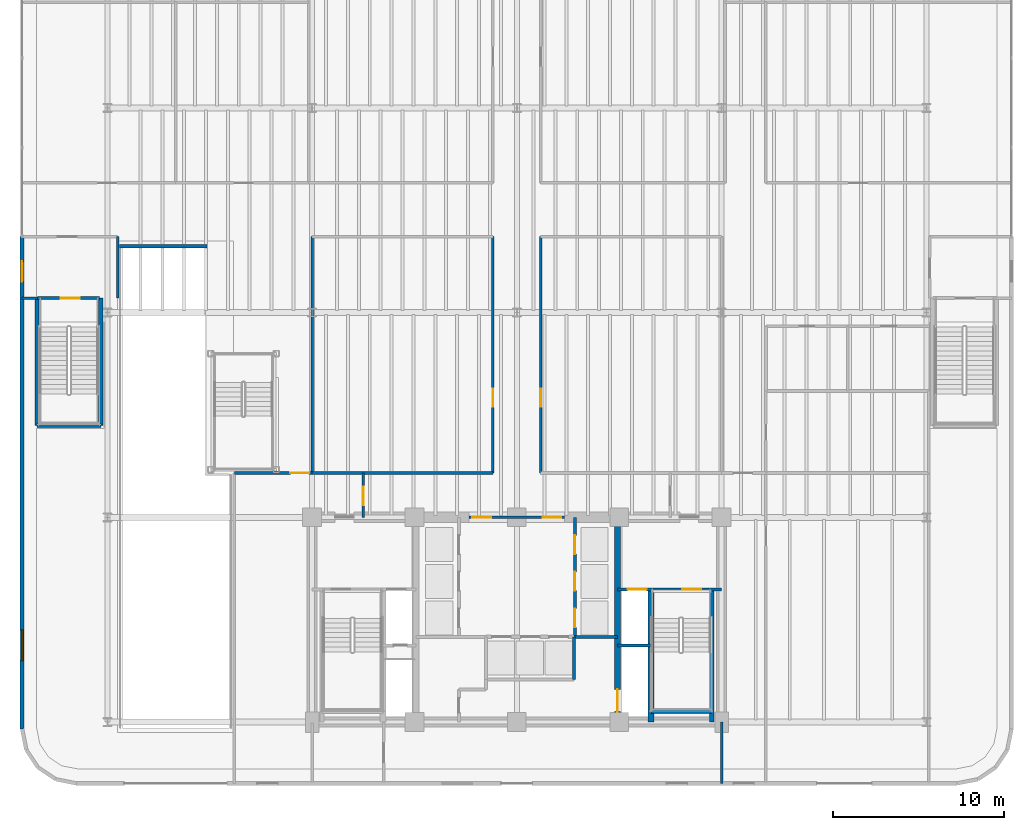
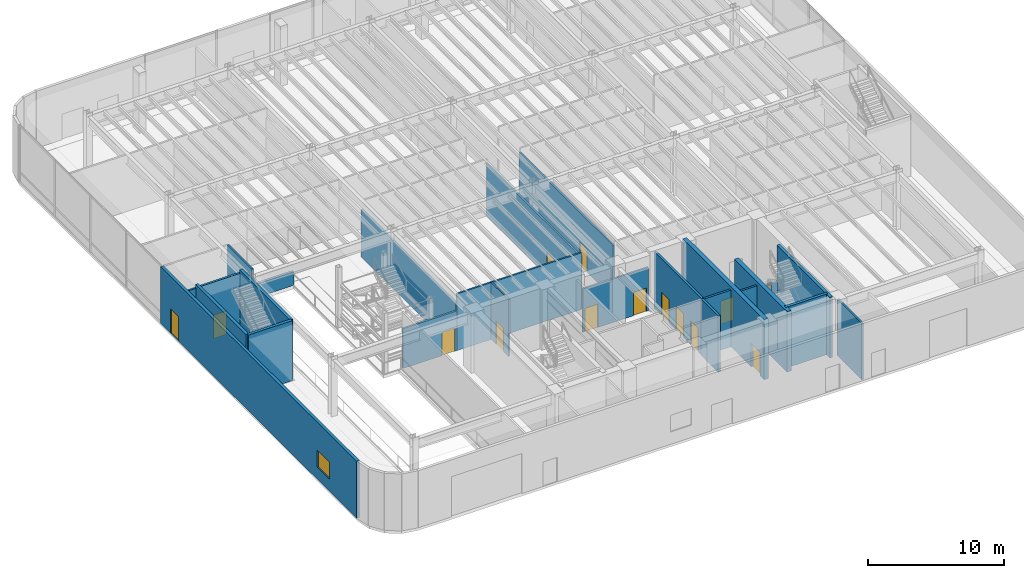
# One storey, part 8 of 17: 25 walls, 14 doors, 1 window, 15 openings.
"""IFC4 building model written with IfcOpenShell, lengths in metres."""

from ifc_helpers import new_model, si_unit, direction, frame, frame_2d, origin, origin_2d, place, context, subcontext, project, spatial, rectangle, extrude, source, transform, mapped, material, layer, layer_set, type_object, element, fill, save


model = new_model("IFC4")

# Units and contexts
model_context = context("Model", 3, precision=1e-05, world=origin(), true_north=direction((0.0, 1.0)))
body_context = subcontext(model_context, "Body", "Model", "MODEL_VIEW")
ifc_project = project(units=[si_unit("LENGTHUNIT", "METRE"), si_unit("AREAUNIT", "SQUARE_METRE"), si_unit("VOLUMEUNIT", "CUBIC_METRE"), si_unit("PLANEANGLEUNIT", "RADIAN"), si_unit("MASSUNIT", "GRAM", prefix="KILO")], contexts=[model_context])

# Site, building, storey
site_placement = place(None, origin())
site = spatial("IfcSite", under=ifc_project, at=site_placement, CompositionType="ELEMENT")
building_placement = place(site_placement, origin())
building = spatial("IfcBuilding", under=site, at=building_placement, Name="Brelvock Crest Care Tower", CompositionType="ELEMENT")
storey_placement = place(building_placement, origin())
storey = spatial("IfcBuildingStorey", under=building, at=storey_placement, Name="L00", CompositionType="ELEMENT", Elevation=0.0)

# Wall, opening, door
ifc_material_1 = material(Name="Concrete S80 (80 MPa)", Category="concrete")
ifc_layer_1 = layer(ifc_material_1, 0.35009765625, Name="WL-CS5")
ifc_layer_set_1 = layer_set([ifc_layer_1], Name="Concrete S80 (80 MPa)")
wall_type_1 = type_object("IfcWallType", Name="WL-CS5", PredefinedType="SHEAR", material=ifc_layer_set_1)
wall_1_placement = place(storey_placement, frame((41.89990234375, 18.0, 0.0), z_axis=(0.0, 0.0, 1.0), x_axis=(0.0, -1.0, 0.0)))
wall_1 = element("IfcWall", 1, at=wall_1_placement, inside=storey, type_object=wall_type_1, Name="L00 Core Internal Web Wall East", PredefinedType="SHEAR", context=body_context, shape_type="SweptSolid", body=[
    extrude(rectangle(XDim=12.0, YDim=0.35009765625, at=frame_2d((6.0, 0.0))), origin(), (0.0, 0.0, 1.0), 5.39990234375),
])
opening_1_placement = place(wall_1_placement, frame((10.080078125, 0.0, 0.0)))
opening_1 = element("IfcOpeningElement", 2, at=opening_1_placement, cuts=wall_1, Name="Opening LD-S", PredefinedType="OPENING", context=body_context, shape_type="SweptSolid", body=[
    extrude(rectangle(XDim=1.300048828125, YDim=2.10009765625, at=origin_2d()), frame((0.64990234375, 0.18505859375, 1.050048828125), z_axis=(0.0, -1.0, 0.0), x_axis=(1.0, 0.0, 0.0)), (0.0, 0.0, 1.0), 0.3701171875),
])
ifc_material_2 = material(Name="Steel Grade 350", Category="steel")
door_type_1 = type_object("IfcDoorType", Name="DR-LDS1", OperationType="NOTDEFINED", PredefinedType="DOOR", material=ifc_material_2)
shared_shape_1 = source(origin(), body_context, "Body", "SweptSolid", [
    extrude(rectangle(XDim=1.300048828125, YDim=2.10009765625, at=origin_2d()), frame((0.64990234375, 0.02490234375, 1.050048828125), z_axis=(0.0, -1.0, 0.0), x_axis=(1.0, 0.0, 0.0)), (0.0, 0.0, 1.0), 0.050048828125),
])
door_1_placement = place(opening_1_placement, origin())
door_1 = element("IfcDoor", 3, at=door_1_placement, inside=storey, type_object=door_type_1, Name="L00 Clinical Bed Lift SL-1 Landing Door", OperationType="SLIDING_TO_LEFT", OverallHeight=2.10009765625, OverallWidth=1.300048828125, PredefinedType="DOOR", context=body_context, shape_type="MappedRepresentation", body=[
    mapped(shared_shape_1, transform((0.0, 0.0, 0.0), x_axis=(1.0, 0.0, 0.0), y_axis=(0.0, 1.0, 0.0), z_axis=(0.0, 0.0, 1.0), scale=1.0)),
])
fill(opening_1, door_1)

# Walls
wall_2_placement = place(storey_placement, frame((43.85009765625, 6.0, 0.0), z_axis=(0.0, 0.0, 1.0), x_axis=(0.0, 1.0, 0.0)))
element("IfcWall", 4, at=wall_2_placement, inside=storey, type_object=wall_type_1, Name="L00 Core Stair ST-2 West Shear Wall", PredefinedType="SHEAR", context=body_context, shape_type="SweptSolid", body=[
    extrude(rectangle(XDim=7.780029296875, YDim=0.35009765625, at=frame_2d((3.89013671875, 0.0))), origin(), (0.0, 0.0, 1.0), 5.43994140625),
])
ifc_layer_2 = layer(ifc_material_1, 0.25, Name="WL-CS6")
ifc_layer_set_2 = layer_set([ifc_layer_2], Name="Concrete S80 (80 MPa)")
wall_type_2 = type_object("IfcWallType", Name="WL-CS6", PredefinedType="SHEAR", material=ifc_layer_set_2)
wall_3_placement = place(storey_placement, frame((7.8798828125, 23.3798828125, 0.0), z_axis=(0.0, 0.0, 1.0), x_axis=(1.0, 0.0, 0.0)))
element("IfcWall", 5, at=wall_3_placement, inside=storey, type_object=wall_type_2, Name="L00 Podium Stair ST-3 South Shear Wall", PredefinedType="SHEAR", context=body_context, shape_type="SweptSolid", body=[
    extrude(rectangle(XDim=3.740234375, YDim=0.25, at=frame_2d((1.8701171875, 0.0))), origin(), (0.0, 0.0, 1.0), 5.39990234375),
])
for number, where, z_axis, x_axis, name in (
    (6, (7.8798828125, 23.3798828125, 0.0), (0.0, 0.0, 1.0), (0.0, 1.0, 0.0), "L00 Podium Stair ST-3 West Shear Wall"),
    (7, (11.6201171875, 23.3798828125, 0.0), (0.0, 0.0, 1.0), (0.0, 1.0, 0.0), "L00 Podium Stair ST-3 East Shear Wall"),
):
    element("IfcWall", number, at=place(storey_placement, frame(where, z_axis=z_axis, x_axis=x_axis)), inside=storey, type_object=wall_type_2, Name=name, PredefinedType="SHEAR", context=body_context, shape_type="SweptSolid", body=[
        extrude(rectangle(XDim=7.47021484375, YDim=0.25, at=frame_2d((3.735107421875, 0.0))), origin(), (0.0, 0.0, 1.0), 5.39990234375),
    ])
wall_4_placement = place(storey_placement, frame((47.419921875, 6.0, 0.0), z_axis=(0.0, 0.0, 1.0), x_axis=(0.0, 1.0, 0.0)))
element("IfcWall", 8, at=wall_4_placement, inside=storey, type_object=wall_type_2, Name="L00 Core Stair ST-2 East Shear Wall", PredefinedType="SHEAR", context=body_context, shape_type="SweptSolid", body=[
    extrude(rectangle(XDim=7.780029296875, YDim=0.25, at=frame_2d((3.89013671875, 0.0))), origin(), (0.0, 0.0, 1.0), 5.43994140625),
])
wall_5_placement = place(storey_placement, frame((43.85009765625, 6.6201171875, 0.0), z_axis=(0.0, 0.0, 1.0), x_axis=(1.0, 0.0, 0.0)))
element("IfcWall", 9, at=wall_5_placement, inside=storey, type_object=wall_type_2, Name="L00 Core Stair ST-2 South Shear Wall", PredefinedType="SHEAR", context=body_context, shape_type="SweptSolid", body=[
    extrude(rectangle(XDim=3.56982421875, YDim=0.25, at=frame_2d((1.784912109375, 0.0))), origin(), (0.0, 0.0, 1.0), 5.43994140625),
])

# Wall, openings, door, window
ifc_material_3 = material(Name="Precast concrete N40 (40 MPa)", Category="concrete")
ifc_layer_3 = layer(ifc_material_3, 0.239990234375, Name="WL-EX1")
ifc_layer_set_3 = layer_set([ifc_layer_3], Name="Precast concrete N40 (40 MPa)")
wall_type_3 = type_object("IfcWallType", Name="WL-EX1", PredefinedType="SOLIDWALL", material=ifc_layer_set_3)
wall_6_placement = place(storey_placement, frame((7.0, 5.60009765625, 0.0), z_axis=(0.0, 0.0, 1.0), x_axis=(0.0, 1.0, 0.0)))
wall_6 = element("IfcWall", 10, at=wall_6_placement, inside=storey, type_object=wall_type_3, Name="L00 Exterior Spandrel Wall WL-EX-L00-WS", PredefinedType="SOLIDWALL", context=body_context, shape_type="SweptSolid", body=[
    extrude(rectangle(XDim=28.849853515625, YDim=0.239990234375, at=frame_2d((14.4248046875, 0.0))), origin(), (0.0, 0.0, 1.0), 5.1201171875),
])
opening_2_placement = place(wall_6_placement, frame((26.199951171875, 0.0, 0.0)))
opening_2 = element("IfcOpeningElement", 11, at=opening_2_placement, cuts=wall_6, Name="Opening ED-2", PredefinedType="OPENING", context=body_context, shape_type="SweptSolid", body=[
    extrude(rectangle(XDim=1.199951171875, YDim=2.199951171875, at=origin_2d()), frame((0.60009765625, 0.1298828125, 1.10009765625), z_axis=(0.0, -1.0, 0.0), x_axis=(1.0, 0.0, 0.0)), (0.0, 0.0, 1.0), 0.260009765625),
])
opening_3_placement = place(wall_6_placement, frame((4.0, 0.0, 1.10009765625)))
opening_3 = element("IfcOpeningElement", 12, at=opening_3_placement, cuts=wall_6, Name="Opening W-02", PredefinedType="OPENING", context=body_context, shape_type="SweptSolid", body=[
    extrude(rectangle(XDim=1.800048828125, YDim=1.5, at=origin_2d()), frame((0.89990234375, 0.1298828125, 0.75), z_axis=(0.0, -1.0, 0.0), x_axis=(1.0, 0.0, 0.0)), (0.0, 0.0, 1.0), 0.260009765625),
])
ifc_material_4 = material(Name="Aluminium 6063-T6", Category="aluminium")
door_type_2 = type_object("IfcDoorType", Name="DR-EX2", OperationType="NOTDEFINED", PredefinedType="DOOR", material=ifc_material_4)
shared_shape_2 = source(origin(), body_context, "Body", "SweptSolid", [
    extrude(rectangle(XDim=1.199951171875, YDim=2.199951171875, at=origin_2d()), frame((0.60009765625, 0.02490234375, 1.10009765625), z_axis=(0.0, -1.0, 0.0), x_axis=(1.0, 0.0, 0.0)), (0.0, 0.0, 1.0), 0.050048828125),
])
door_2_placement = place(opening_2_placement, origin())
door_2 = element("IfcDoor", 13, at=door_2_placement, inside=storey, type_object=door_type_2, Name="L00 Podium Stair ST-3 Final Exit E5", OperationType="SINGLE_SWING_LEFT", OverallHeight=2.199951171875, OverallWidth=1.199951171875, PredefinedType="DOOR", context=body_context, shape_type="MappedRepresentation", body=[
    mapped(shared_shape_2, transform((0.0, 0.0, 0.0), x_axis=(1.0, 0.0, 0.0), y_axis=(0.0, 1.0, 0.0), z_axis=(0.0, 0.0, 1.0), scale=1.0)),
])
fill(opening_2, door_2)
ifc_material_5 = material(Name="Dark Glass Double Glazed Low-E", Category="glass")
window_type = type_object("IfcWindowType", Name="WN-EX2", PartitioningType="SINGLE_PANEL", PredefinedType="WINDOW", material=ifc_material_5)
shared_shape_3 = source(origin(), body_context, "Body", "SweptSolid", [
    extrude(rectangle(XDim=1.800048828125, YDim=1.5, at=origin_2d()), frame((0.89990234375, 0.030029296875, 0.75), z_axis=(0.0, -1.0, 0.0), x_axis=(1.0, 0.0, 0.0)), (0.0, 0.0, 1.0), 0.06005859375),
])
window_placement = place(opening_3_placement, origin())
window = element("IfcWindow", 14, at=window_placement, inside=storey, type_object=window_type, Name="WN-L00-W1", OverallHeight=1.5, OverallWidth=1.800048828125, PartitioningType="SINGLE_PANEL", PredefinedType="WINDOW", context=body_context, shape_type="MappedRepresentation", body=[
    mapped(shared_shape_3, transform((0.0, 0.0, 0.0), x_axis=(1.0, 0.0, 0.0), y_axis=(0.0, 1.0, 0.0), z_axis=(0.0, 0.0, 1.0), scale=1.0)),
])
fill(opening_3, window)

# Wall, openings, doors
ifc_material_6 = material(Name="Masonry Blockwork Acoustic Partition", Category="masonry")
ifc_layer_4 = layer(ifc_material_6, 0.14990234375, Name="WL-INT1")
ifc_layer_set_4 = layer_set([ifc_layer_4], Name="Masonry Blockwork Acoustic Partition")
wall_type_4 = type_object("IfcWallType", Name="WL-INT1", PredefinedType="PARTITIONING", material=ifc_layer_set_4)
wall_7_placement = place(storey_placement, frame((33.199951171875, 18.0, 0.0), z_axis=(0.0, 0.0, 1.0), x_axis=(1.0, 0.0, 0.0)))
wall_7 = element("IfcWall", 15, at=wall_7_placement, inside=storey, type_object=wall_type_4, Name="L00 Interior Wall WL-CORE-NPORT-L00", PredefinedType="PARTITIONING", context=body_context, shape_type="SweptSolid", body=[
    extrude(rectangle(XDim=5.60009765625, YDim=0.14990234375, at=frame_2d((2.800048828125, 0.0))), origin(), (0.0, 0.0, 1.0), 3.905029296875),
])
opening_4_placement = place(wall_7_placement, frame((0.18994140625, 0.0, 0.0)))
opening_4 = element("IfcOpeningElement", 16, at=opening_4_placement, cuts=wall_7, Name="Opening FD-1", PredefinedType="OPENING", context=body_context, shape_type="SweptSolid", body=[
    extrude(rectangle(XDim=1.10009765625, YDim=2.10009765625, at=origin_2d()), frame((0.550048828125, 0.0849609375, 1.050048828125), z_axis=(0.0, -1.0, 0.0), x_axis=(1.0, 0.0, 0.0)), (0.0, 0.0, 1.0), 0.169921875),
])
opening_5_placement = place(wall_7_placement, frame((4.31005859375, 0.0, 0.0)))
opening_5 = element("IfcOpeningElement", 17, at=opening_5_placement, cuts=wall_7, Name="Opening FD-1", PredefinedType="OPENING", context=body_context, shape_type="SweptSolid", body=[
    extrude(rectangle(XDim=1.10009765625, YDim=2.10009765625, at=origin_2d()), frame((0.550048828125, 0.0849609375, 1.050048828125), z_axis=(0.0, -1.0, 0.0), x_axis=(1.0, 0.0, 0.0)), (0.0, 0.0, 1.0), 0.169921875),
])
door_type_3 = type_object("IfcDoorType", Name="DR-FFL1", OperationType="NOTDEFINED", PredefinedType="DOOR", material=ifc_material_2)
shared_shape_4 = source(origin(), body_context, "Body", "SweptSolid", [
    extrude(rectangle(XDim=1.10009765625, YDim=2.10009765625, at=origin_2d()), frame((0.550048828125, 0.02490234375, 1.050048828125), z_axis=(0.0, -1.0, 0.0), x_axis=(1.0, 0.0, 0.0)), (0.0, 0.0, 1.0), 0.050048828125),
])
door_3_placement = place(opening_4_placement, origin())
door_3 = element("IfcDoor", 18, at=door_3_placement, inside=storey, type_object=door_type_3, Name="L00 Lift Lobby North Smoke Door West", OperationType="SINGLE_SWING_LEFT", OverallHeight=2.10009765625, OverallWidth=1.10009765625, PredefinedType="DOOR", context=body_context, shape_type="MappedRepresentation", body=[
    mapped(shared_shape_4, transform((0.0, 0.0, 0.0), x_axis=(1.0, 0.0, 0.0), y_axis=(0.0, 1.0, 0.0), z_axis=(0.0, 0.0, 1.0), scale=1.0)),
])
fill(opening_4, door_3)
door_4_placement = place(opening_5_placement, origin())
door_4 = element("IfcDoor", 19, at=door_4_placement, inside=storey, type_object=door_type_3, Name="L00 Lift Lobby North Smoke Door East", OperationType="SINGLE_SWING_RIGHT", OverallHeight=2.10009765625, OverallWidth=1.10009765625, PredefinedType="DOOR", context=body_context, shape_type="MappedRepresentation", body=[
    mapped(shared_shape_4, transform((0.0, 0.0, 0.0), x_axis=(1.0, 0.0, 0.0), y_axis=(0.0, 1.0, 0.0), z_axis=(0.0, 0.0, 1.0), scale=1.0)),
])
fill(opening_5, door_4)

# Wall, opening, door
wall_8_placement = place(storey_placement, frame((19.449951171875, 20.60009765625, 0.0), z_axis=(0.0, 0.0, 1.0), x_axis=(1.0, 0.0, 0.0)))
wall_8 = element("IfcWall", 20, at=wall_8_placement, inside=storey, type_object=wall_type_4, Name="L00 Interior Wall WL-L00-EX1N", PredefinedType="PARTITIONING", context=body_context, shape_type="SweptSolid", body=[
    extrude(rectangle(XDim=4.550048828125, YDim=0.14990234375, at=frame_2d((2.27490234375, 0.0))), origin(), (0.0, 0.0, 1.0), 3.5791015625),
])
opening_6_placement = place(wall_8_placement, frame((3.280029296875, 0.0, 0.0)))
opening_6 = element("IfcOpeningElement", 21, at=opening_6_placement, cuts=wall_8, Name="Opening SD-1", PredefinedType="OPENING", context=body_context, shape_type="SweptSolid", body=[
    extrude(rectangle(XDim=1.10009765625, YDim=2.10009765625, at=origin_2d()), frame((0.550048828125, 0.0849609375, 1.050048828125), z_axis=(0.0, -1.0, 0.0), x_axis=(1.0, 0.0, 0.0)), (0.0, 0.0, 1.0), 0.169921875),
])
door_type_4 = type_object("IfcDoorType", Name="DR-ST1", OperationType="NOTDEFINED", PredefinedType="DOOR", material=ifc_material_2)
shared_shape_5 = source(origin(), body_context, "Body", "SweptSolid", [
    extrude(rectangle(XDim=1.10009765625, YDim=2.10009765625, at=origin_2d()), frame((0.550048828125, 0.02490234375, 1.050048828125), z_axis=(0.0, -1.0, 0.0), x_axis=(1.0, 0.0, 0.0)), (0.0, 0.0, 1.0), 0.050048828125),
])
door_5_placement = place(opening_6_placement, origin())
door_5 = element("IfcDoor", 22, at=door_5_placement, inside=storey, type_object=door_type_4, Name="L00 Protected Exit ST-1 Hall Door", OperationType="SINGLE_SWING_LEFT", OverallHeight=2.10009765625, OverallWidth=1.10009765625, PredefinedType="DOOR", context=body_context, shape_type="MappedRepresentation", body=[
    mapped(shared_shape_5, transform((0.0, 0.0, 0.0), x_axis=(1.0, 0.0, 0.0), y_axis=(0.0, 1.0, 0.0), z_axis=(0.0, 0.0, 1.0), scale=1.0)),
])
fill(opening_6, door_5)

# Walls
wall_9_placement = place(storey_placement, frame((24.0, 20.60009765625, 0.0), z_axis=(0.0, 0.0, 1.0), x_axis=(1.0, 0.0, 0.0)))
element("IfcWall", 23, at=wall_9_placement, inside=storey, type_object=wall_type_4, Name="L00 Interior Wall WL-BX-L00-REC-S", PredefinedType="PARTITIONING", context=body_context, shape_type="SweptSolid", body=[
    extrude(rectangle(XDim=10.60009765625, YDim=0.14990234375, at=frame_2d((5.300048828125, 0.0))), origin(), (0.0, 0.0, 1.0), 5.090087890625),
])
wall_10_placement = place(storey_placement, frame((7.0, 30.85009765625, 0.0), z_axis=(0.0, 0.0, 1.0), x_axis=(1.0, 0.0, 0.0)))
element("IfcWall", 24, at=wall_10_placement, inside=storey, type_object=wall_type_4, Name="L00 Interior Wall WL-L00-EX3SW", PredefinedType="PARTITIONING", context=body_context, shape_type="SweptSolid", body=[
    extrude(rectangle(XDim=0.919921875, YDim=0.14990234375, at=frame_2d((0.4599609375, 0.0))), origin(), (0.0, 0.0, 1.0), 5.090087890625),
])
wall_11_placement = place(storey_placement, frame((12.60009765625, 30.85009765625, 0.0), z_axis=(0.0, 0.0, 1.0), x_axis=(0.0, 1.0, 0.0)))
element("IfcWall", 25, at=wall_11_placement, inside=storey, type_object=wall_type_4, Name="L00 Interior Wall WL-L00-EX3E", PredefinedType="PARTITIONING", context=body_context, shape_type="SweptSolid", body=[
    extrude(rectangle(XDim=3.599853515625, YDim=0.14990234375, at=frame_2d((1.7998046875, 0.0))), origin(), (0.0, 0.0, 1.0), 5.090087890625),
])
wall_12_placement = place(storey_placement, frame((24.0, 20.60009765625, 0.0), z_axis=(0.0, 0.0, 1.0), x_axis=(0.0, 1.0, 0.0)))
element("IfcWall", 26, at=wall_12_placement, inside=storey, type_object=wall_type_4, Name="L00 Interior Wall WL-BX-L00-REC-W", PredefinedType="PARTITIONING", context=body_context, shape_type="SweptSolid", body=[
    extrude(rectangle(XDim=13.849853515625, YDim=0.14990234375, at=frame_2d((6.9248046875, 0.0))), origin(), (0.0, 0.0, 1.0), 4.304931640625),
])

# Wall, opening, door
wall_13_placement = place(storey_placement, frame((27.0, 18.0, 0.0), z_axis=(0.0, 0.0, 1.0), x_axis=(0.0, 1.0, 0.0)))
wall_13 = element("IfcWall", 27, at=wall_13_placement, inside=storey, type_object=wall_type_4, Name="L00 Interior Wall WL-L00-EX1E", PredefinedType="PARTITIONING", context=body_context, shape_type="SweptSolid", body=[
    extrude(rectangle(XDim=2.60009765625, YDim=0.14990234375, at=frame_2d((1.300048828125, 0.0))), origin(), (0.0, 0.0, 1.0), 5.090087890625),
])
opening_7_placement = place(wall_13_placement, frame((0.699951171875, 0.0, 0.0)))
opening_7 = element("IfcOpeningElement", 28, at=opening_7_placement, cuts=wall_13, Name="Opening SD-1", PredefinedType="OPENING", context=body_context, shape_type="SweptSolid", body=[
    extrude(rectangle(XDim=1.10009765625, YDim=2.10009765625, at=origin_2d()), frame((0.550048828125, 0.0849609375, 1.050048828125), z_axis=(0.0, -1.0, 0.0), x_axis=(1.0, 0.0, 0.0)), (0.0, 0.0, 1.0), 0.169921875),
])
door_6_placement = place(opening_7_placement, origin())
door_6 = element("IfcDoor", 29, at=door_6_placement, inside=storey, type_object=door_type_4, Name="L00 Protected Exit ST-1 Core Lobby Door", OperationType="SINGLE_SWING_LEFT", OverallHeight=2.10009765625, OverallWidth=1.10009765625, PredefinedType="DOOR", context=body_context, shape_type="MappedRepresentation", body=[
    mapped(shared_shape_5, transform((0.0, 0.0, 0.0), x_axis=(1.0, 0.0, 0.0), y_axis=(0.0, 1.0, 0.0), z_axis=(0.0, 0.0, 1.0), scale=1.0)),
])
fill(opening_7, door_6)

wall_14_placement = place(storey_placement, frame((34.60009765625, 20.60009765625, 0.0), z_axis=(0.0, 0.0, 1.0), x_axis=(0.0, 1.0, 0.0)))
wall_14 = element("IfcWall", 30, at=wall_14_placement, inside=storey, type_object=wall_type_4, Name="L00 Interior Wall WL-RM-L00-REC", PredefinedType="PARTITIONING", context=body_context, shape_type="SweptSolid", body=[
    extrude(rectangle(XDim=13.849853515625, YDim=0.14990234375, at=frame_2d((6.9248046875, 0.0))), origin(), (0.0, 0.0, 1.0), 4.74609375),
])
opening_8_placement = place(wall_14_placement, frame((3.875, 0.0, 0.0)))
opening_8 = element("IfcOpeningElement", 31, at=opening_8_placement, cuts=wall_14, Name="Opening CLD-1", PredefinedType="OPENING", context=body_context, shape_type="SweptSolid", body=[
    extrude(rectangle(XDim=1.050048828125, YDim=2.10009765625, at=origin_2d()), frame((0.52490234375, 0.0849609375, 1.050048828125), z_axis=(0.0, -1.0, 0.0), x_axis=(1.0, 0.0, 0.0)), (0.0, 0.0, 1.0), 0.169921875),
])
ifc_material_7 = material(Name="Engineered Hardwood Timber", Category="wood")
door_type_5 = type_object("IfcDoorType", Name="DR-CLN1", OperationType="NOTDEFINED", PredefinedType="DOOR", material=ifc_material_7)
shared_shape_6 = source(origin(), body_context, "Body", "SweptSolid", [
    extrude(rectangle(XDim=1.050048828125, YDim=2.10009765625, at=origin_2d()), frame((0.52490234375, 0.02490234375, 1.050048828125), z_axis=(0.0, -1.0, 0.0), x_axis=(1.0, 0.0, 0.0)), (0.0, 0.0, 1.0), 0.050048828125),
])
door_7_placement = place(opening_8_placement, origin())
door_7 = element("IfcDoor", 32, at=door_7_placement, inside=storey, type_object=door_type_5, Name="L00 Senior Residence Concierge Door REC", OperationType="SINGLE_SWING_LEFT", OverallHeight=2.10009765625, OverallWidth=1.050048828125, PredefinedType="DOOR", context=body_context, shape_type="MappedRepresentation", body=[
    mapped(shared_shape_6, transform((0.0, 0.0, 0.0), x_axis=(1.0, 0.0, 0.0), y_axis=(0.0, 1.0, 0.0), z_axis=(0.0, 0.0, 1.0), scale=1.0)),
])
fill(opening_8, door_7)

wall_15_placement = place(storey_placement, frame((37.39990234375, 20.60009765625, 0.0), z_axis=(0.0, 0.0, 1.0), x_axis=(0.0, 1.0, 0.0)))
wall_15 = element("IfcWall", 33, at=wall_15_placement, inside=storey, type_object=wall_type_4, Name="L00 Interior Wall WL-RM-L00-ADM", PredefinedType="PARTITIONING", context=body_context, shape_type="SweptSolid", body=[
    extrude(rectangle(XDim=13.849853515625, YDim=0.14990234375, at=frame_2d((6.9248046875, 0.0))), origin(), (0.0, 0.0, 1.0), 4.74609375),
])
opening_9_placement = place(wall_15_placement, frame((3.875, 0.0, 0.0)))
opening_9 = element("IfcOpeningElement", 34, at=opening_9_placement, cuts=wall_15, Name="Opening CLD-1", PredefinedType="OPENING", context=body_context, shape_type="SweptSolid", body=[
    extrude(rectangle(XDim=1.050048828125, YDim=2.10009765625, at=origin_2d()), frame((0.52490234375, 0.0849609375, 1.050048828125), z_axis=(0.0, -1.0, 0.0), x_axis=(1.0, 0.0, 0.0)), (0.0, 0.0, 1.0), 0.169921875),
])
door_8_placement = place(opening_9_placement, origin())
door_8 = element("IfcDoor", 35, at=door_8_placement, inside=storey, type_object=door_type_5, Name="L00 Admissions and Family Lounge Door ADM", OperationType="SINGLE_SWING_LEFT", OverallHeight=2.10009765625, OverallWidth=1.050048828125, PredefinedType="DOOR", context=body_context, shape_type="MappedRepresentation", body=[
    mapped(shared_shape_6, transform((0.0, 0.0, 0.0), x_axis=(1.0, 0.0, 0.0), y_axis=(0.0, 1.0, 0.0), z_axis=(0.0, 0.0, 1.0), scale=1.0)),
])
fill(opening_9, door_8)

# Walls
wall_16_placement = place(storey_placement, frame((48.0, 2.39990234375, 0.0), z_axis=(0.0, 0.0, 1.0), x_axis=(0.0, 1.0, 0.0)))
element("IfcWall", 36, at=wall_16_placement, inside=storey, type_object=wall_type_4, Name="L00 Interior Wall WL-L00-VESE", PredefinedType="PARTITIONING", context=body_context, shape_type="SweptSolid", body=[
    extrude(rectangle(XDim=3.60009765625, YDim=0.14990234375, at=frame_2d((1.800048828125, 0.0))), origin(), (0.0, 0.0, 1.0), 5.090087890625),
])
ifc_layer_5 = layer(ifc_material_3, 0.199951171875, Name="WL-PR1")
ifc_layer_set_5 = layer_set([ifc_layer_5], Name="Precast concrete N40 (40 MPa)")
wall_type_5 = type_object("IfcWallType", Name="WL-PR1", PredefinedType="PARAPET", material=ifc_layer_set_5)
wall_17_placement = place(storey_placement, frame((12.719970703125, 33.89990234375, 0.0), z_axis=(0.0, 0.0, 1.0), x_axis=(1.0, 0.0, 0.0)))
element("IfcWall", 37, at=wall_17_placement, inside=storey, type_object=wall_type_5, Name="L00 Ramp Opening North Safety Parapet", PredefinedType="PARAPET", context=body_context, shape_type="SweptSolid", body=[
    extrude(rectangle(XDim=5.1201171875, YDim=0.199951171875, at=frame_2d((2.56005859375, 0.0))), origin(), (0.0, 0.0, 1.0), 1.219970703125),
])

# Wall, opening, door
ifc_layer_6 = layer(ifc_material_6, 0.179931640625, Name="WL-SHF1")
ifc_layer_set_6 = layer_set([ifc_layer_6], Name="Masonry Blockwork Acoustic Partition")
wall_type_6 = type_object("IfcWallType", Name="WL-SHF1", PredefinedType="PARTITIONING", material=ifc_layer_set_6)
wall_18_placement = place(storey_placement, frame((7.919921875, 30.85009765625, 0.0), z_axis=(0.0, 0.0, 1.0), x_axis=(1.0, 0.0, 0.0)))
wall_18 = element("IfcWall", 38, at=wall_18_placement, inside=storey, type_object=wall_type_6, Name="L00 Interior Wall WL-ST3-N-L00", PredefinedType="PARTITIONING", context=body_context, shape_type="SweptSolid", body=[
    extrude(rectangle(XDim=3.630126953125, YDim=0.179931640625, at=frame_2d((1.81494140625, 0.0))), origin(), (0.0, 0.0, 1.0), 5.1201171875),
])
opening_10_placement = place(wall_18_placement, frame((1.35009765625, 0.0, 0.0)))
opening_10 = element("IfcOpeningElement", 39, at=opening_10_placement, cuts=wall_18, Name="Opening SD-1", PredefinedType="OPENING", context=body_context, shape_type="SweptSolid", body=[
    extrude(rectangle(XDim=1.10009765625, YDim=2.10009765625, at=origin_2d()), frame((0.550048828125, 0.10009765625, 1.050048828125), z_axis=(0.0, -1.0, 0.0), x_axis=(1.0, 0.0, 0.0)), (0.0, 0.0, 1.0), 0.199951171875),
])
door_9_placement = place(opening_10_placement, origin())
door_9 = element("IfcDoor", 40, at=door_9_placement, inside=storey, type_object=door_type_4, Name="L00 Podium Stair ST-3 Door", OperationType="SINGLE_SWING_LEFT", OverallHeight=2.10009765625, OverallWidth=1.10009765625, PredefinedType="DOOR", context=body_context, shape_type="MappedRepresentation", body=[
    mapped(shared_shape_5, transform((0.0, 0.0, 0.0), x_axis=(1.0, 0.0, 0.0), y_axis=(0.0, 1.0, 0.0), z_axis=(0.0, 0.0, 1.0), scale=1.0)),
])
fill(opening_10, door_9)

# Walls
wall_19_placement = place(storey_placement, frame((39.35009765625, 8.5, 0.0), z_axis=(0.0, 0.0, 1.0), x_axis=(0.0, 1.0, 0.0)))
element("IfcWall", 41, at=wall_19_placement, inside=storey, type_object=wall_type_6, Name="L00 Interior Wall WL-PLM-E-L00", PredefinedType="PARTITIONING", context=body_context, shape_type="SweptSolid", body=[
    extrude(rectangle(XDim=2.5, YDim=0.179931640625, at=frame_2d((1.25, 0.0))), origin(), (0.0, 0.0, 1.0), 5.090087890625),
])
wall_20_placement = place(storey_placement, frame((39.35009765625, 10.97998046875, 0.0), z_axis=(0.0, 0.0, 1.0), x_axis=(1.0, 0.0, 0.0)))
element("IfcWall", 42, at=wall_20_placement, inside=storey, type_object=wall_type_6, Name="L00 Interior Wall WL-CSBE-N-L00", PredefinedType="PARTITIONING", context=body_context, shape_type="SweptSolid", body=[
    extrude(rectangle(XDim=2.5498046875, YDim=0.179931640625, at=frame_2d((1.27490234375, 0.0))), origin(), (0.0, 0.0, 1.0), 5.090087890625),
])

# Wall, openings, doors
wall_21_placement = place(storey_placement, frame((41.89990234375, 13.780029296875, 0.0), z_axis=(0.0, 0.0, 1.0), x_axis=(1.0, 0.0, 0.0)))
wall_21 = element("IfcWall", 43, at=wall_21_placement, inside=storey, type_object=wall_type_6, Name="L00 Interior Wall WL-ST2-N-L00", PredefinedType="PARTITIONING", context=body_context, shape_type="SweptSolid", body=[
    extrude(rectangle(XDim=6.10009765625, YDim=0.179931640625, at=frame_2d((3.050048828125, 0.0))), origin(), (0.0, 0.0, 1.0), 2.22900390625),
])
opening_11_placement = place(wall_21_placement, frame((0.60009765625, 0.0, 0.0)))
opening_11 = element("IfcOpeningElement", 44, at=opening_11_placement, cuts=wall_21, Name="Opening LD", PredefinedType="OPENING", context=body_context, shape_type="SweptSolid", body=[
    extrude(rectangle(XDim=1.10009765625, YDim=2.10009765625, at=origin_2d()), frame((0.550048828125, 0.10009765625, 1.050048828125), z_axis=(0.0, -1.0, 0.0), x_axis=(1.0, 0.0, 0.0)), (0.0, 0.0, 1.0), 0.199951171875),
])
opening_12_placement = place(wall_21_placement, frame((3.800048828125, 0.0, 0.0)))
opening_12 = element("IfcOpeningElement", 45, at=opening_12_placement, cuts=wall_21, Name="Opening SD-1", PredefinedType="OPENING", context=body_context, shape_type="SweptSolid", body=[
    extrude(rectangle(XDim=1.10009765625, YDim=2.10009765625, at=origin_2d()), frame((0.550048828125, 0.10009765625, 1.050048828125), z_axis=(0.0, -1.0, 0.0), x_axis=(1.0, 0.0, 0.0)), (0.0, 0.0, 1.0), 0.199951171875),
])
door_10_placement = place(opening_12_placement, origin())
door_10 = element("IfcDoor", 46, at=door_10_placement, inside=storey, type_object=door_type_4, Name="L00 Fire Stair ST-2 Door", OperationType="SINGLE_SWING_LEFT", OverallHeight=2.10009765625, OverallWidth=1.10009765625, PredefinedType="DOOR", context=body_context, shape_type="MappedRepresentation", body=[
    mapped(shared_shape_5, transform((0.0, 0.0, 0.0), x_axis=(1.0, 0.0, 0.0), y_axis=(0.0, 1.0, 0.0), z_axis=(0.0, 0.0, 1.0), scale=1.0)),
])
fill(opening_12, door_10)
door_type_6 = type_object("IfcDoorType", Name="DR-LD1", OperationType="NOTDEFINED", PredefinedType="DOOR", material=ifc_material_2)
shared_shape_7 = source(origin(), body_context, "Body", "SweptSolid", [
    extrude(rectangle(XDim=1.10009765625, YDim=2.10009765625, at=origin_2d()), frame((0.550048828125, 0.02490234375, 1.050048828125), z_axis=(0.0, -1.0, 0.0), x_axis=(1.0, 0.0, 0.0)), (0.0, 0.0, 1.0), 0.050048828125),
])
door_11_placement = place(opening_11_placement, origin())
door_11 = element("IfcDoor", 47, at=door_11_placement, inside=storey, type_object=door_type_6, Name="L00 Firefighting Lift FFL-2 Landing Door", OperationType="SLIDING_TO_RIGHT", OverallHeight=2.10009765625, OverallWidth=1.10009765625, PredefinedType="DOOR", context=body_context, shape_type="MappedRepresentation", body=[
    mapped(shared_shape_7, transform((0.0, 0.0, 0.0), x_axis=(1.0, 0.0, 0.0), y_axis=(0.0, 1.0, 0.0), z_axis=(0.0, 0.0, 1.0), scale=1.0)),
])
fill(opening_11, door_11)

# Wall
wall_22_placement = place(storey_placement, frame((41.89990234375, 10.5, 0.0), z_axis=(0.0, 0.0, 1.0), x_axis=(1.0, 0.0, 0.0)))
element("IfcWall", 48, at=wall_22_placement, inside=storey, type_object=wall_type_6, Name="L00 Interior Wall WL-FFH2-S-L00", PredefinedType="PARTITIONING", context=body_context, shape_type="SweptSolid", body=[
    extrude(rectangle(XDim=1.9501953125, YDim=0.179931640625, at=frame_2d((0.97509765625, 0.0))), origin(), (0.0, 0.0, 1.0), 5.090087890625),
])

# Wall, openings, doors
wall_23_placement = place(storey_placement, frame((39.39990234375, 11.0, 0.0), z_axis=(0.0, 0.0, 1.0), x_axis=(0.0, 1.0, 0.0)))
wall_23 = element("IfcWall", 49, at=wall_23_placement, inside=storey, type_object=wall_type_6, Name="L00 Interior Wall WL-PLH-BANK-L00", PredefinedType="PARTITIONING", context=body_context, shape_type="SweptSolid", body=[
    extrude(rectangle(XDim=7.0, YDim=0.179931640625, at=frame_2d((3.5, 0.0))), origin(), (0.0, 0.0, 1.0), 5.090087890625),
])
opening_13_placement = place(wall_23_placement, frame((0.550048828125, 0.0, 0.0)))
opening_13 = element("IfcOpeningElement", 50, at=opening_13_placement, cuts=wall_23, Name="Opening LD", PredefinedType="OPENING", context=body_context, shape_type="SweptSolid", body=[
    extrude(rectangle(XDim=1.10009765625, YDim=2.10009765625, at=origin_2d()), frame((0.550048828125, 0.10009765625, 1.050048828125), z_axis=(0.0, -1.0, 0.0), x_axis=(1.0, 0.0, 0.0)), (0.0, 0.0, 1.0), 0.199951171875),
])
opening_14_placement = place(wall_23_placement, frame((2.699951171875, 0.0, 0.0)))
opening_14 = element("IfcOpeningElement", 51, at=opening_14_placement, cuts=wall_23, Name="Opening LD", PredefinedType="OPENING", context=body_context, shape_type="SweptSolid", body=[
    extrude(rectangle(XDim=1.10009765625, YDim=2.10009765625, at=origin_2d()), frame((0.550048828125, 0.10009765625, 1.050048828125), z_axis=(0.0, -1.0, 0.0), x_axis=(1.0, 0.0, 0.0)), (0.0, 0.0, 1.0), 0.199951171875),
])
opening_15_placement = place(wall_23_placement, frame((4.85009765625, 0.0, 0.0)))
opening_15 = element("IfcOpeningElement", 52, at=opening_15_placement, cuts=wall_23, Name="Opening LD", PredefinedType="OPENING", context=body_context, shape_type="SweptSolid", body=[
    extrude(rectangle(XDim=1.10009765625, YDim=2.10009765625, at=origin_2d()), frame((0.550048828125, 0.10009765625, 1.050048828125), z_axis=(0.0, -1.0, 0.0), x_axis=(1.0, 0.0, 0.0)), (0.0, 0.0, 1.0), 0.199951171875),
])
door_12_placement = place(opening_13_placement, origin())
door_12 = element("IfcDoor", 53, at=door_12_placement, inside=storey, type_object=door_type_6, Name="L00 Lift PL-H1 Landing Door", OperationType="SLIDING_TO_RIGHT", OverallHeight=2.10009765625, OverallWidth=1.10009765625, PredefinedType="DOOR", context=body_context, shape_type="MappedRepresentation", body=[
    mapped(shared_shape_7, transform((0.0, 0.0, 0.0), x_axis=(1.0, 0.0, 0.0), y_axis=(0.0, 1.0, 0.0), z_axis=(0.0, 0.0, 1.0), scale=1.0)),
])
fill(opening_13, door_12)
door_13_placement = place(opening_14_placement, origin())
door_13 = element("IfcDoor", 54, at=door_13_placement, inside=storey, type_object=door_type_6, Name="L00 Lift PL-H2 Landing Door", OperationType="SLIDING_TO_RIGHT", OverallHeight=2.10009765625, OverallWidth=1.10009765625, PredefinedType="DOOR", context=body_context, shape_type="MappedRepresentation", body=[
    mapped(shared_shape_7, transform((0.0, 0.0, 0.0), x_axis=(1.0, 0.0, 0.0), y_axis=(0.0, 1.0, 0.0), z_axis=(0.0, 0.0, 1.0), scale=1.0)),
])
fill(opening_14, door_13)
door_14_placement = place(opening_15_placement, origin())
door_14 = element("IfcDoor", 55, at=door_14_placement, inside=storey, type_object=door_type_6, Name="L00 Lift PL-H3 Landing Door", OperationType="SLIDING_TO_RIGHT", OverallHeight=2.10009765625, OverallWidth=1.10009765625, PredefinedType="DOOR", context=body_context, shape_type="MappedRepresentation", body=[
    mapped(shared_shape_7, transform((0.0, 0.0, 0.0), x_axis=(1.0, 0.0, 0.0), y_axis=(0.0, 1.0, 0.0), z_axis=(0.0, 0.0, 1.0), scale=1.0)),
])
fill(opening_15, door_14)

save(model, "model.ifc")
